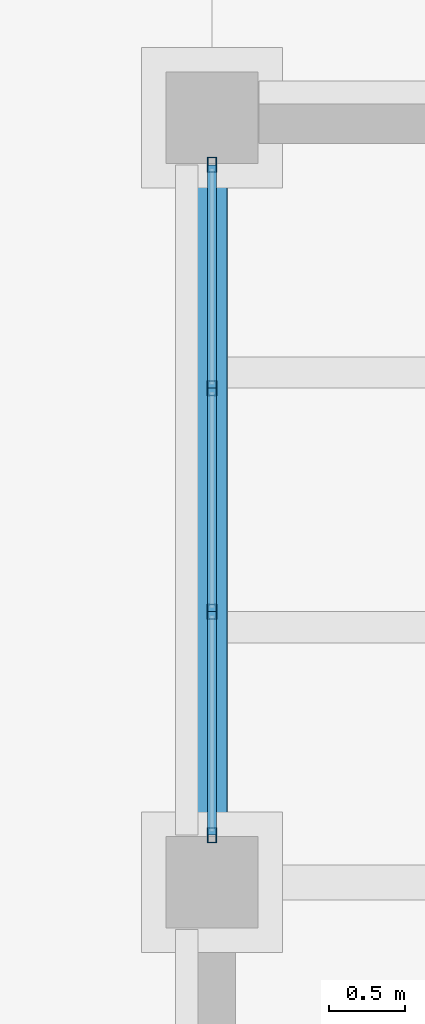
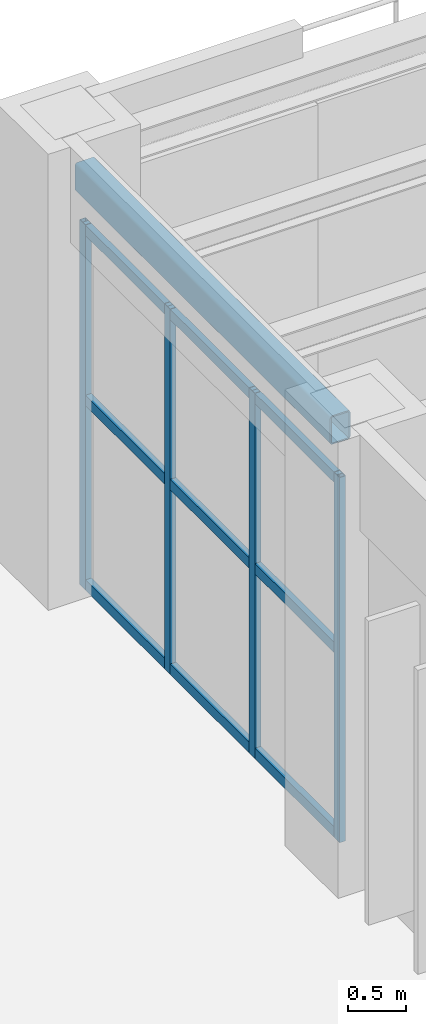
# One storey, part 24 of 83: 13 members, 1 beam, 1 element without a shape of its own.
"""IFC4 building model written with IfcOpenShell, lengths in metres."""

from ifc_helpers import new_model, si_unit, direction, frame, origin, origin_2d, place, context, subcontext, project, spatial, hollow_rectangle, extrude, material, material_profile, profile_set, type_object, element, aggregate, save


model = new_model("IFC4")

# Units and contexts
model_context = context("Model", 3, precision=1e-05, world=origin(), true_north=direction((0.0, 1.0)))
body_context = subcontext(model_context, "Body", "Model", "MODEL_VIEW")
ifc_project = project(units=[si_unit("LENGTHUNIT", "METRE"), si_unit("AREAUNIT", "SQUARE_METRE"), si_unit("VOLUMEUNIT", "CUBIC_METRE"), si_unit("PLANEANGLEUNIT", "RADIAN"), si_unit("MASSUNIT", "GRAM", prefix="KILO")], contexts=[model_context])

# Site, building, storey
site_placement = place(None, origin())
site = spatial("IfcSite", under=ifc_project, at=site_placement, CompositionType="ELEMENT")
building_placement = place(site_placement, origin())
building = spatial("IfcBuilding", under=site, at=building_placement, Name="Mavantir Sound Aquarium", CompositionType="ELEMENT")
storey_placement = place(building_placement, frame((0.0, 0.0, 10.5)))
storey = spatial("IfcBuildingStorey", under=building, at=storey_placement, Name="L02", CompositionType="ELEMENT", Elevation=10.5)

# Beam
ifc_material_1 = material(Name="Hollow Structural Steel ASTM A500 GrC", Category="steel")
ifc_material_profile_1 = material_profile(ifc_material_1, hollow_rectangle(XDim=0.199951171875, YDim=0.300048828125, WallThickness=0.012451171875, InnerFilletRadius=0.012451171875, OuterFilletRadius=0.02490234375, at=origin_2d()), Name="RHS 300X200X12.5")
ifc_profile_set_1 = profile_set([ifc_material_profile_1], Name="Hollow Structural Steel ASTM A500 GrC")
beam_type = type_object("IfcBeamType", Name="BM-RHS300-E", PredefinedType="SPANDREL", material=ifc_profile_set_1)
beam_placement = place(storey_placement, frame((108.0, 86.10009765625, 4.3359375), z_axis=(0.0, 1.0, 0.0), x_axis=(-1.0, 0.0, 0.0)))
element("IfcBeam", 1, at=beam_placement, inside=storey, type_object=beam_type, Name="L02 primary girder SS-R30 1560", PredefinedType="SPANDREL", context=body_context, shape_type="SweptSolid", body=[
    extrude(hollow_rectangle(XDim=0.199951171875, YDim=0.300048828125, WallThickness=0.012451171875, InnerFilletRadius=0.012451171875, OuterFilletRadius=0.02490234375, at=origin_2d()), origin(), (0.0, 0.0, 1.0), 4.39990234375),
])

# Curtain wall, members
ifc_material_2 = material(Name="Anodised Marine Aluminium and Low-E Glass", Category="aluminium")
curtain_wall_type = type_object("IfcCurtainWallType", Name="CW-T13", PredefinedType="USERDEFINED", material=ifc_material_2)
curtain_wall_placement = place(storey_placement, origin())
curtain_wall = element("IfcCurtainWall", 2, at=curtain_wall_placement, inside=storey, type_object=curtain_wall_type, Name="L02 unitised curtain wall CW-13 133", ObjectType="UNITISED GLAZING", PredefinedType="USERDEFINED")
ifc_material_3 = material(Name="Anodised Marine Aluminium 6063-T6", Category="aluminium")
ifc_material_profile_2 = material_profile(ifc_material_3, hollow_rectangle(XDim=0.06005859375, YDim=0.10009765625, WallThickness=0.00390625, at=origin_2d()), Name="ALU-MULLION-100X60")
ifc_profile_set_2 = profile_set([ifc_material_profile_2], Name="Anodised Marine Aluminium 6063-T6")
member_type_1 = type_object("IfcMemberType", Name="CW-MUL-100", PredefinedType="MULLION", material=ifc_profile_set_2)
member_1_placement = place(storey_placement, frame((108.0, 90.491943359375, 0.0), z_axis=(0.0, 0.0, 1.0), x_axis=(1.0, 0.0, 0.0)))
member_1 = element("IfcMember", 3, at=member_1_placement, type_object=member_type_1, Name="CW-L02-133 vertical mullion 1", PredefinedType="MULLION", context=body_context, shape_type="SweptSolid", body=[
    extrude(hollow_rectangle(XDim=0.06005859375, YDim=0.10009765625, WallThickness=0.00390625, at=origin_2d()), origin(), (0.0, 0.0, 1.0), 3.843994140625),
])
member_2_placement = place(storey_placement, frame((108.0, 89.03076171875, 0.0), z_axis=(0.0, 0.0, 1.0), x_axis=(1.0, 0.0, 0.0)))
member_2 = element("IfcMember", 4, at=member_2_placement, type_object=member_type_1, Name="CW-L02-133 vertical mullion 2", PredefinedType="MULLION", context=body_context, shape_type="SweptSolid", body=[
    extrude(hollow_rectangle(XDim=0.06005859375, YDim=0.10009765625, WallThickness=0.00390625, at=origin_2d()), origin(), (0.0, 0.0, 1.0), 3.843994140625),
])
member_3_placement = place(storey_placement, frame((108.0, 87.5693359375, 0.0), z_axis=(0.0, 0.0, 1.0), x_axis=(1.0, 0.0, 0.0)))
member_3 = element("IfcMember", 5, at=member_3_placement, type_object=member_type_1, Name="CW-L02-133 vertical mullion 3", PredefinedType="MULLION", context=body_context, shape_type="SweptSolid", body=[
    extrude(hollow_rectangle(XDim=0.06005859375, YDim=0.10009765625, WallThickness=0.00390625, at=origin_2d()), origin(), (0.0, 0.0, 1.0), 3.843994140625),
])
member_4_placement = place(storey_placement, frame((108.0, 86.10791015625, 0.0), z_axis=(0.0, 0.0, 1.0), x_axis=(1.0, 0.0, 0.0)))
member_4 = element("IfcMember", 6, at=member_4_placement, type_object=member_type_1, Name="CW-L02-133 vertical mullion 4", PredefinedType="MULLION", context=body_context, shape_type="SweptSolid", body=[
    extrude(hollow_rectangle(XDim=0.06005859375, YDim=0.10009765625, WallThickness=0.00390625, at=origin_2d()), origin(), (0.0, 0.0, 1.0), 3.843994140625),
])
ifc_material_profile_3 = material_profile(ifc_material_3, hollow_rectangle(XDim=0.06005859375, YDim=0.110107421875, WallThickness=0.00390625, at=origin_2d()), Name="ALU-TRANSOM-110X60")
ifc_profile_set_3 = profile_set([ifc_material_profile_3], Name="Anodised Marine Aluminium 6063-T6")
member_type_2 = type_object("IfcMemberType", Name="CW-TRN-110", PredefinedType="USERDEFINED", material=ifc_profile_set_3)
member_5_placement = place(storey_placement, frame((108.0, 90.491943359375, 0.054931640625), z_axis=(0.0, -1.0, 0.0), x_axis=(1.0, 0.0, 0.0)))
member_5 = element("IfcMember", 7, at=member_5_placement, type_object=member_type_2, Name="CW-L02-133 transom 1.1", ObjectType="TRANSOM", PredefinedType="USERDEFINED", context=body_context, shape_type="SweptSolid", body=[
    extrude(hollow_rectangle(XDim=0.06005859375, YDim=0.110107421875, WallThickness=0.00390625, at=origin_2d()), origin(), (0.0, 0.0, 1.0), 1.461181640625),
])
member_6_placement = place(storey_placement, frame((108.0, 90.491943359375, 1.998779296875), z_axis=(0.0, -1.0, 0.0), x_axis=(1.0, 0.0, 0.0)))
member_6 = element("IfcMember", 8, at=member_6_placement, type_object=member_type_2, Name="CW-L02-133 transom 1.2", ObjectType="TRANSOM", PredefinedType="USERDEFINED", context=body_context, shape_type="SweptSolid", body=[
    extrude(hollow_rectangle(XDim=0.06005859375, YDim=0.110107421875, WallThickness=0.00390625, at=origin_2d()), origin(), (0.0, 0.0, 1.0), 1.461181640625),
])
member_7_placement = place(storey_placement, frame((108.0, 90.491943359375, 3.7890625), z_axis=(0.0, -1.0, 0.0), x_axis=(1.0, 0.0, 0.0)))
member_7 = element("IfcMember", 9, at=member_7_placement, type_object=member_type_2, Name="CW-L02-133 transom 1.3", ObjectType="TRANSOM", PredefinedType="USERDEFINED", context=body_context, shape_type="SweptSolid", body=[
    extrude(hollow_rectangle(XDim=0.06005859375, YDim=0.110107421875, WallThickness=0.00390625, at=origin_2d()), origin(), (0.0, 0.0, 1.0), 1.461181640625),
])
member_8_placement = place(storey_placement, frame((108.0, 89.03076171875, 0.054931640625), z_axis=(0.0, -1.0, 0.0), x_axis=(1.0, 0.0, 0.0)))
member_8 = element("IfcMember", 10, at=member_8_placement, type_object=member_type_2, Name="CW-L02-133 transom 2.1", ObjectType="TRANSOM", PredefinedType="USERDEFINED", context=body_context, shape_type="SweptSolid", body=[
    extrude(hollow_rectangle(XDim=0.06005859375, YDim=0.110107421875, WallThickness=0.00390625, at=origin_2d()), origin(), (0.0, 0.0, 1.0), 1.46142578125),
])
member_9_placement = place(storey_placement, frame((108.0, 89.03076171875, 1.998779296875), z_axis=(0.0, -1.0, 0.0), x_axis=(1.0, 0.0, 0.0)))
member_9 = element("IfcMember", 11, at=member_9_placement, type_object=member_type_2, Name="CW-L02-133 transom 2.2", ObjectType="TRANSOM", PredefinedType="USERDEFINED", context=body_context, shape_type="SweptSolid", body=[
    extrude(hollow_rectangle(XDim=0.06005859375, YDim=0.110107421875, WallThickness=0.00390625, at=origin_2d()), origin(), (0.0, 0.0, 1.0), 1.46142578125),
])
member_10_placement = place(storey_placement, frame((108.0, 89.03076171875, 3.7890625), z_axis=(0.0, -1.0, 0.0), x_axis=(1.0, 0.0, 0.0)))
member_10 = element("IfcMember", 12, at=member_10_placement, type_object=member_type_2, Name="CW-L02-133 transom 2.3", ObjectType="TRANSOM", PredefinedType="USERDEFINED", context=body_context, shape_type="SweptSolid", body=[
    extrude(hollow_rectangle(XDim=0.06005859375, YDim=0.110107421875, WallThickness=0.00390625, at=origin_2d()), origin(), (0.0, 0.0, 1.0), 1.46142578125),
])
member_11_placement = place(storey_placement, frame((108.0, 87.5693359375, 0.054931640625), z_axis=(0.0, -1.0, 0.0), x_axis=(1.0, 0.0, 0.0)))
member_11 = element("IfcMember", 13, at=member_11_placement, type_object=member_type_2, Name="CW-L02-133 transom 3.1", ObjectType="TRANSOM", PredefinedType="USERDEFINED", context=body_context, shape_type="SweptSolid", body=[
    extrude(hollow_rectangle(XDim=0.06005859375, YDim=0.110107421875, WallThickness=0.00390625, at=origin_2d()), origin(), (0.0, 0.0, 1.0), 1.46142578125),
])
member_12_placement = place(storey_placement, frame((108.0, 87.5693359375, 1.998779296875), z_axis=(0.0, -1.0, 0.0), x_axis=(1.0, 0.0, 0.0)))
member_12 = element("IfcMember", 14, at=member_12_placement, type_object=member_type_2, Name="CW-L02-133 transom 3.2", ObjectType="TRANSOM", PredefinedType="USERDEFINED", context=body_context, shape_type="SweptSolid", body=[
    extrude(hollow_rectangle(XDim=0.06005859375, YDim=0.110107421875, WallThickness=0.00390625, at=origin_2d()), origin(), (0.0, 0.0, 1.0), 1.46142578125),
])
member_13_placement = place(storey_placement, frame((108.0, 87.5693359375, 3.7890625), z_axis=(0.0, -1.0, 0.0), x_axis=(1.0, 0.0, 0.0)))
member_13 = element("IfcMember", 15, at=member_13_placement, type_object=member_type_2, Name="CW-L02-133 transom 3.3", ObjectType="TRANSOM", PredefinedType="USERDEFINED", context=body_context, shape_type="SweptSolid", body=[
    extrude(hollow_rectangle(XDim=0.06005859375, YDim=0.110107421875, WallThickness=0.00390625, at=origin_2d()), origin(), (0.0, 0.0, 1.0), 1.46142578125),
])
aggregate(curtain_wall, [member_1, member_2, member_3, member_4, member_5, member_6, member_7, member_8, member_9, member_10, member_11, member_12, member_13])

save(model, "model.ifc")
